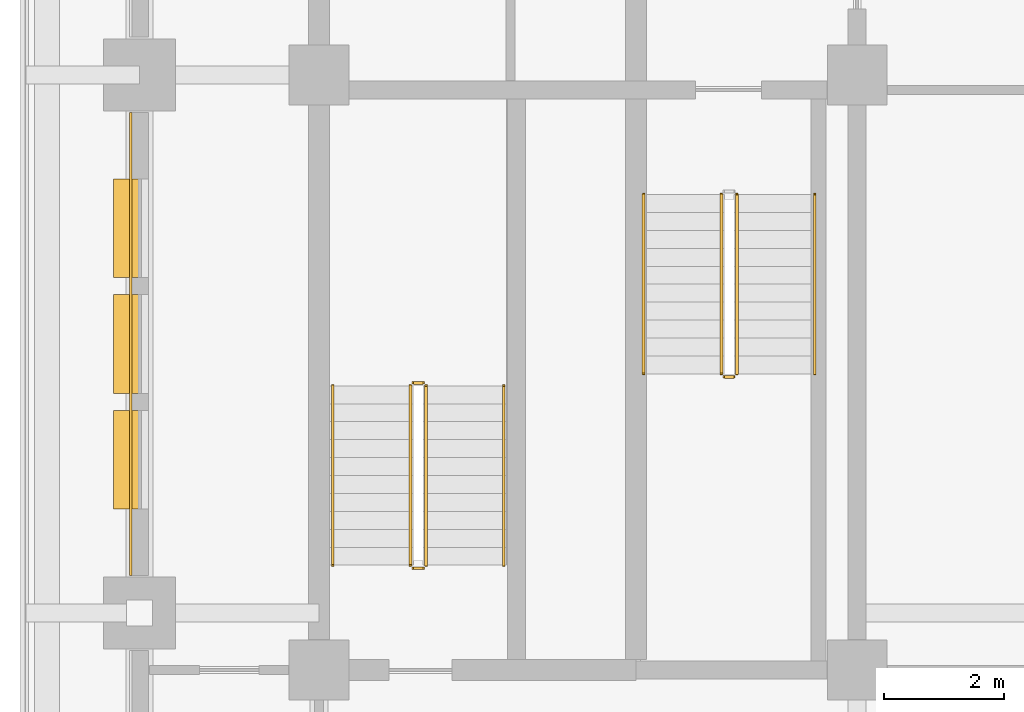
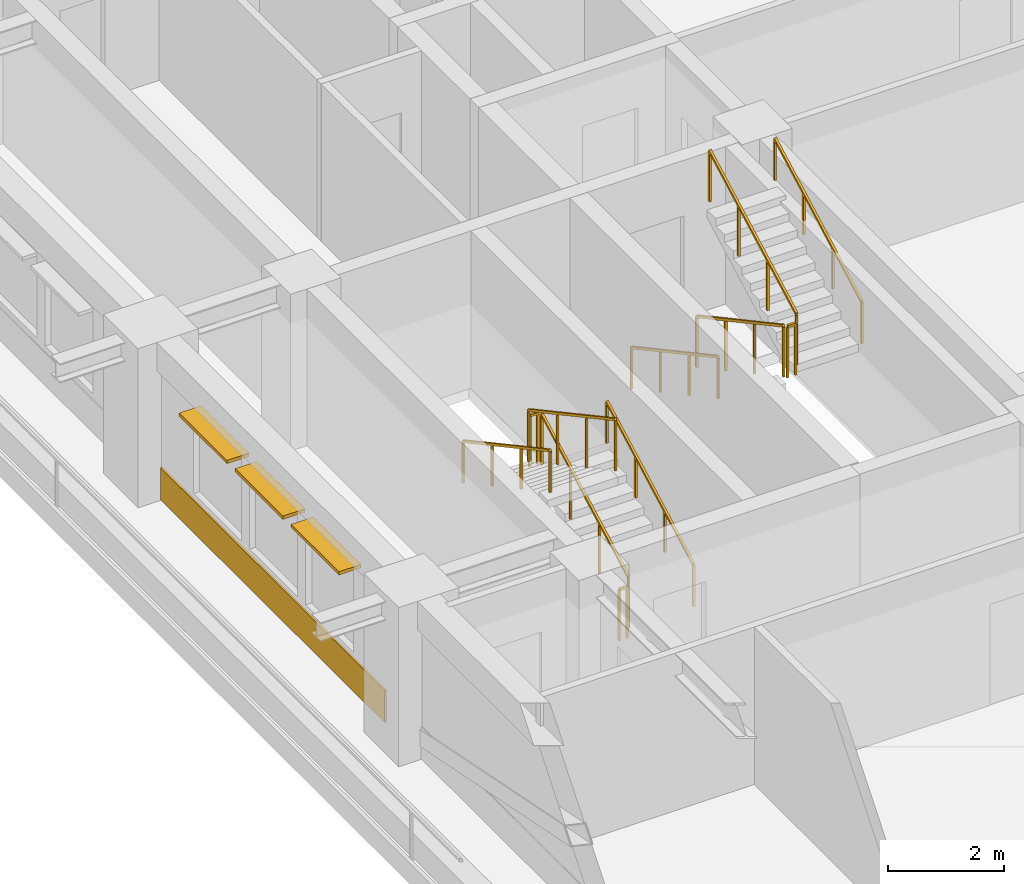
# One storey, part 9 of 14: 11 railings, 3 shading devices, 1 covering.
"""IFC4 building model written with IfcOpenShell, lengths in metres."""

from ifc_helpers import new_model, si_unit, direction, frame, frame_2d, origin, origin_2d, place, context, subcontext, project, spatial, rectangle, extrude, material, layer, layer_set, type_object, element, save


model = new_model("IFC4")

# Units and contexts
model_context = context("Model", 3, precision=1e-05, world=origin(), true_north=direction((0.0, 1.0)))
body_context = subcontext(model_context, "Body", "Model", "MODEL_VIEW")
ifc_project = project(units=[si_unit("LENGTHUNIT", "METRE"), si_unit("AREAUNIT", "SQUARE_METRE"), si_unit("VOLUMEUNIT", "CUBIC_METRE"), si_unit("PLANEANGLEUNIT", "RADIAN"), si_unit("MASSUNIT", "GRAM", prefix="KILO")], contexts=[model_context])

# Site, building, storey
site_placement = place(None, origin())
site = spatial("IfcSite", under=ifc_project, at=site_placement, CompositionType="ELEMENT")
building_placement = place(site_placement, origin())
building = spatial("IfcBuilding", under=site, at=building_placement, Name="Zulmaris Gate Convention Tower", CompositionType="ELEMENT")
storey_placement = place(building_placement, frame((0.0, 0.0, 102.06982421875)))
storey = spatial("IfcBuildingStorey", under=building, at=storey_placement, Name="L25", CompositionType="ELEMENT", Elevation=102.06982421875)

# Covering
ifc_material_1 = material(Name="Precast concrete C40/50", Category="concrete")
ifc_layer_1 = layer(ifc_material_1, 0.0400390625, Name="Precast concrete C40/50")
ifc_layer_set_1 = layer_set([ifc_layer_1], Name="Precast concrete C40/50")
covering_type = type_object("IfcCoveringType", Name="CLAD-SPANDREL-PRECAST", PredefinedType="CLADDING", material=ifc_layer_set_1)
covering_placement = place(storey_placement, frame((-23.14990234375, -0.6298828125, 0.0), z_axis=(0.0, 0.0, 1.0), x_axis=(0.0, -1.0, 0.0)))
element("IfcCovering", 1, at=covering_placement, inside=storey, type_object=covering_type, Name="CLD-L25-W-1_0", PredefinedType="CLADDING", context=body_context, shape_type="SweptSolid", body=[
    extrude(rectangle(XDim=7.740234375, YDim=0.0400390625, at=frame_2d((3.8701171875, 0.0))), origin(), (0.0, 0.0, 1.0), 0.679931640625),
])

# Railings
ifc_material_2 = material(Name="Painted Galvanised Steel", Category="steel")
railing_type_1 = type_object("IfcRailingType", Name="RL-STG-1150", PredefinedType="GUARDRAIL", material=ifc_material_2)
railing_1_placement = place(storey_placement, frame((-13.27001953125, -2.0, 0.162353515625)))
element("IfcRailing", 2, at=railing_1_placement, inside=storey, type_object=railing_type_1, Name="L25 ST-1 stair guard 1", PredefinedType="GUARDRAIL", context=body_context, shape_type="SweptSolid", body=[
    extrude(rectangle(XDim=0.048095703125, YDim=0.048095703125, at=origin_2d()), frame((0.0, 0.0, 1.076171875), z_axis=(0.0, -0.879591569277, 0.475729619907), x_axis=(1.0, 0.0, 0.0)), (0.0, 0.0, 1.0), 3.41064453125),
    extrude(rectangle(XDim=0.0419921875, YDim=0.0419921875, at=origin_2d()), origin(), (0.0, 0.0, 1.0), 1.052001953125),
    extrude(rectangle(XDim=0.0419921875, YDim=0.0419921875, at=origin_2d()), frame((0.0, -1.0, 0.540771484375)), (0.0, 0.0, 1.0), 1.052001953125),
    extrude(rectangle(XDim=0.0419921875, YDim=0.0419921875, at=origin_2d()), frame((0.0, -2.0, 1.081787109375)), (0.0, 0.0, 1.0), 1.052001953125),
    extrude(rectangle(XDim=0.0419921875, YDim=0.0419921875, at=origin_2d()), frame((0.0, -3.0, 1.62255859375)), (0.0, 0.0, 1.0), 1.052001953125),
])
railing_2_placement = place(storey_placement, frame((-13.219970703125, -5.050048828125, 1.784912109375)))
element("IfcRailing", 3, at=railing_2_placement, inside=storey, type_object=railing_type_1, Name="L25 ST-1 stair guard 2", PredefinedType="GUARDRAIL", context=body_context, shape_type="SweptSolid", body=[
    extrude(rectangle(XDim=0.048095703125, YDim=0.048095703125, at=origin_2d()), frame((0.0, 0.0, 1.076171875), z_axis=(1.0, 0.0, 0.0), x_axis=(0.0, 1.0, 0.0)), (0.0, 0.0, 1.0), 0.159912109375),
    extrude(rectangle(XDim=0.0419921875, YDim=0.0419921875, at=origin_2d()), origin(), (0.0, 0.0, 1.0), 1.052001953125),
    extrude(rectangle(XDim=0.0419921875, YDim=0.0419921875, at=origin_2d()), frame((0.159912109375, 0.0, 0.0)), (0.0, 0.0, 1.0), 1.052001953125),
])
railing_3_placement = place(storey_placement, frame((-13.010009765625, -5.0, 1.947265625)))
element("IfcRailing", 4, at=railing_3_placement, inside=storey, type_object=railing_type_1, Name="L25 ST-1 stair guard 3", PredefinedType="GUARDRAIL", context=body_context, shape_type="SweptSolid", body=[
    extrude(rectangle(XDim=0.048095703125, YDim=0.048095703125, at=origin_2d()), frame((0.0, 0.0, 1.076171875), z_axis=(0.0, 0.8795616155, 0.475784998228), x_axis=(-1.0, 0.0, 0.0)), (0.0, 0.0, 1.0), 3.410888671875),
    extrude(rectangle(XDim=0.0419921875, YDim=0.0419921875, at=origin_2d()), origin(), (0.0, 0.0, 1.0), 1.052001953125),
    extrude(rectangle(XDim=0.0419921875, YDim=0.0419921875, at=origin_2d()), frame((0.0, 1.0, 0.541015625)), (0.0, 0.0, 1.0), 1.052001953125),
    extrude(rectangle(XDim=0.0419921875, YDim=0.0419921875, at=origin_2d()), frame((0.0, 2.0, 1.081787109375)), (0.0, 0.0, 1.0), 1.052001953125),
    extrude(rectangle(XDim=0.0419921875, YDim=0.0419921875, at=origin_2d()), frame((0.0, 3.0, 1.622802734375)), (0.0, 0.0, 1.0), 1.052001953125),
])
railing_4_placement = place(storey_placement, frame((-18.2099609375, -8.199951171875, 0.162353515625)))
element("IfcRailing", 5, at=railing_4_placement, inside=storey, type_object=railing_type_1, Name="L25 ST-3 stair guard 1", PredefinedType="GUARDRAIL", context=body_context, shape_type="SweptSolid", body=[
    extrude(rectangle(XDim=0.048095703125, YDim=0.048095703125, at=origin_2d()), frame((0.0, 0.0, 1.076171875), z_axis=(0.0, 0.879591569277, 0.475729619907), x_axis=(-1.0, 0.0, 0.0)), (0.0, 0.0, 1.0), 3.41064453125),
    extrude(rectangle(XDim=0.0419921875, YDim=0.0419921875, at=origin_2d()), origin(), (0.0, 0.0, 1.0), 1.052001953125),
    extrude(rectangle(XDim=0.0419921875, YDim=0.0419921875, at=origin_2d()), frame((0.0, 1.0, 0.540771484375)), (0.0, 0.0, 1.0), 1.052001953125),
    extrude(rectangle(XDim=0.0419921875, YDim=0.0419921875, at=origin_2d()), frame((0.0, 2.0, 1.081787109375)), (0.0, 0.0, 1.0), 1.052001953125),
    extrude(rectangle(XDim=0.0419921875, YDim=0.0419921875, at=origin_2d()), frame((0.0, 3.0, 1.62255859375)), (0.0, 0.0, 1.0), 1.052001953125),
])
railing_5_placement = place(storey_placement, frame((-18.260009765625, -5.14990234375, 1.784912109375)))
element("IfcRailing", 6, at=railing_5_placement, inside=storey, type_object=railing_type_1, Name="L25 ST-3 stair guard 2", PredefinedType="GUARDRAIL", context=body_context, shape_type="SweptSolid", body=[
    extrude(rectangle(XDim=0.048095703125, YDim=0.048095703125, at=origin_2d()), frame((0.0, 0.0, 1.076171875), z_axis=(-1.0, 0.0, 0.0), x_axis=(0.0, -1.0, 0.0)), (0.0, 0.0, 1.0), 0.159912109375),
    extrude(rectangle(XDim=0.0419921875, YDim=0.0419921875, at=origin_2d()), origin(), (0.0, 0.0, 1.0), 1.052001953125),
    extrude(rectangle(XDim=0.0419921875, YDim=0.0419921875, at=origin_2d()), frame((-0.159912109375, 0.0, 0.0)), (0.0, 0.0, 1.0), 1.052001953125),
])
railing_6_placement = place(storey_placement, frame((-18.469970703125, -5.199951171875, 1.947265625)))
element("IfcRailing", 7, at=railing_6_placement, inside=storey, type_object=railing_type_1, Name="L25 ST-3 stair guard 3", PredefinedType="GUARDRAIL", context=body_context, shape_type="SweptSolid", body=[
    extrude(rectangle(XDim=0.048095703125, YDim=0.048095703125, at=origin_2d()), frame((0.0, 0.0, 1.076171875), z_axis=(0.0, -0.8795616155, 0.475784998228), x_axis=(1.0, 0.0, 0.0)), (0.0, 0.0, 1.0), 3.410888671875),
    extrude(rectangle(XDim=0.0419921875, YDim=0.0419921875, at=origin_2d()), origin(), (0.0, 0.0, 1.0), 1.052001953125),
    extrude(rectangle(XDim=0.0419921875, YDim=0.0419921875, at=origin_2d()), frame((0.0, -1.0, 0.541015625)), (0.0, 0.0, 1.0), 1.052001953125),
    extrude(rectangle(XDim=0.0419921875, YDim=0.0419921875, at=origin_2d()), frame((0.0, -2.0, 1.081787109375)), (0.0, 0.0, 1.0), 1.052001953125),
    extrude(rectangle(XDim=0.0419921875, YDim=0.0419921875, at=origin_2d()), frame((0.0, -3.0, 1.622802734375)), (0.0, 0.0, 1.0), 1.052001953125),
])
railing_7_placement = place(storey_placement, frame((-18.260009765625, -8.25, 0.0)))
element("IfcRailing", 8, at=railing_7_placement, inside=storey, type_object=railing_type_1, Name="L25 ST-3 stair guard 4", PredefinedType="GUARDRAIL", context=body_context, shape_type="SweptSolid", body=[
    extrude(rectangle(XDim=0.048095703125, YDim=0.048095703125, at=origin_2d()), frame((0.0, 0.0, 1.076171875), z_axis=(-1.0, 0.0, 0.0), x_axis=(0.0, -1.0, 0.0)), (0.0, 0.0, 1.0), 0.159912109375),
    extrude(rectangle(XDim=0.0419921875, YDim=0.0419921875, at=origin_2d()), origin(), (0.0, 0.0, 1.0), 1.052001953125),
    extrude(rectangle(XDim=0.0419921875, YDim=0.0419921875, at=origin_2d()), frame((-0.159912109375, 0.0, 0.0)), (0.0, 0.0, 1.0), 1.052001953125),
])
ifc_material_3 = material(Name="Brushed Stainless Steel", Category="steel")
railing_type_2 = type_object("IfcRailingType", Name="RL-STH-900", PredefinedType="HANDRAIL", material=ifc_material_3)
railing_8_placement = place(storey_placement, frame((-14.570068359375, -2.0, 0.162353515625)))
element("IfcRailing", 9, at=railing_8_placement, inside=storey, type_object=railing_type_2, Name="L25 ST-1 stair handrail 1", PredefinedType="HANDRAIL", context=body_context, shape_type="SweptSolid", body=[
    extrude(rectangle(XDim=0.048095703125, YDim=0.048095703125, at=origin_2d()), frame((0.0, 0.0, 0.8759765625), z_axis=(0.0, -0.879591569277, 0.475729619907), x_axis=(1.0, 0.0, 0.0)), (0.0, 0.0, 1.0), 3.41064453125),
    extrude(rectangle(XDim=0.0419921875, YDim=0.0419921875, at=origin_2d()), origin(), (0.0, 0.0, 1.0), 0.851806640625),
    extrude(rectangle(XDim=0.0419921875, YDim=0.0419921875, at=origin_2d()), frame((0.0, -1.0, 0.540771484375)), (0.0, 0.0, 1.0), 0.851806640625),
    extrude(rectangle(XDim=0.0419921875, YDim=0.0419921875, at=origin_2d()), frame((0.0, -2.0, 1.081787109375)), (0.0, 0.0, 1.0), 0.851806640625),
    extrude(rectangle(XDim=0.0419921875, YDim=0.0419921875, at=origin_2d()), frame((0.0, -3.0, 1.62255859375)), (0.0, 0.0, 1.0), 0.851806640625),
])
railing_9_placement = place(storey_placement, frame((-11.7099609375, -5.0, 1.947265625)))
element("IfcRailing", 10, at=railing_9_placement, inside=storey, type_object=railing_type_2, Name="L25 ST-1 stair handrail 2", PredefinedType="HANDRAIL", context=body_context, shape_type="SweptSolid", body=[
    extrude(rectangle(XDim=0.048095703125, YDim=0.048095703125, at=origin_2d()), frame((0.0, 0.0, 0.8759765625), z_axis=(0.0, 0.8795616155, 0.475784998228), x_axis=(-1.0, 0.0, 0.0)), (0.0, 0.0, 1.0), 3.410888671875),
    extrude(rectangle(XDim=0.0419921875, YDim=0.0419921875, at=origin_2d()), origin(), (0.0, 0.0, 1.0), 0.851806640625),
    extrude(rectangle(XDim=0.0419921875, YDim=0.0419921875, at=origin_2d()), frame((0.0, 1.0, 0.541015625)), (0.0, 0.0, 1.0), 0.851806640625),
    extrude(rectangle(XDim=0.0419921875, YDim=0.0419921875, at=origin_2d()), frame((0.0, 2.0, 1.081787109375)), (0.0, 0.0, 1.0), 0.851806640625),
    extrude(rectangle(XDim=0.0419921875, YDim=0.0419921875, at=origin_2d()), frame((0.0, 3.0, 1.622802734375)), (0.0, 0.0, 1.0), 0.851806640625),
])
railing_10_placement = place(storey_placement, frame((-16.909912109375, -8.199951171875, 0.162353515625)))
element("IfcRailing", 11, at=railing_10_placement, inside=storey, type_object=railing_type_2, Name="L25 ST-3 stair handrail 1", PredefinedType="HANDRAIL", context=body_context, shape_type="SweptSolid", body=[
    extrude(rectangle(XDim=0.048095703125, YDim=0.048095703125, at=origin_2d()), frame((0.0, 0.0, 0.8759765625), z_axis=(0.0, 0.879591569277, 0.475729619907), x_axis=(-1.0, 0.0, 0.0)), (0.0, 0.0, 1.0), 3.41064453125),
    extrude(rectangle(XDim=0.0419921875, YDim=0.0419921875, at=origin_2d()), origin(), (0.0, 0.0, 1.0), 0.851806640625),
    extrude(rectangle(XDim=0.0419921875, YDim=0.0419921875, at=origin_2d()), frame((0.0, 1.0, 0.540771484375)), (0.0, 0.0, 1.0), 0.851806640625),
    extrude(rectangle(XDim=0.0419921875, YDim=0.0419921875, at=origin_2d()), frame((0.0, 2.0, 1.081787109375)), (0.0, 0.0, 1.0), 0.851806640625),
    extrude(rectangle(XDim=0.0419921875, YDim=0.0419921875, at=origin_2d()), frame((0.0, 3.0, 1.62255859375)), (0.0, 0.0, 1.0), 0.851806640625),
])
railing_11_placement = place(storey_placement, frame((-19.77001953125, -5.199951171875, 1.947265625)))
element("IfcRailing", 12, at=railing_11_placement, inside=storey, type_object=railing_type_2, Name="L25 ST-3 stair handrail 2", PredefinedType="HANDRAIL", context=body_context, shape_type="SweptSolid", body=[
    extrude(rectangle(XDim=0.048095703125, YDim=0.048095703125, at=origin_2d()), frame((0.0, 0.0, 0.8759765625), z_axis=(0.0, -0.8795616155, 0.475784998228), x_axis=(1.0, 0.0, 0.0)), (0.0, 0.0, 1.0), 3.410888671875),
    extrude(rectangle(XDim=0.0419921875, YDim=0.0419921875, at=origin_2d()), origin(), (0.0, 0.0, 1.0), 0.851806640625),
    extrude(rectangle(XDim=0.0419921875, YDim=0.0419921875, at=origin_2d()), frame((0.0, -1.0, 0.541015625)), (0.0, 0.0, 1.0), 0.851806640625),
    extrude(rectangle(XDim=0.0419921875, YDim=0.0419921875, at=origin_2d()), frame((0.0, -2.0, 1.081787109375)), (0.0, 0.0, 1.0), 0.851806640625),
    extrude(rectangle(XDim=0.0419921875, YDim=0.0419921875, at=origin_2d()), frame((0.0, -3.0, 1.622802734375)), (0.0, 0.0, 1.0), 0.851806640625),
])

# Shading devices
ifc_material_4 = material(Name="Glazed Ceramic Terracotta", Category="masonry")
ifc_layer_2 = layer(ifc_material_4, 0.070068359375, Name="Glazed Ceramic Terracotta")
ifc_layer_set_2 = layer_set([ifc_layer_2], Name="Glazed Ceramic Terracotta")
shading_device_type = type_object("IfcShadingDeviceType", Name="SHD-SUNSHADE-TC", PredefinedType="AWNING", material=ifc_layer_set_2)
for number, where, z_axis, x_axis, name in (
    (13, (-23.219970703125, -1.739990234375, 2.530029296875), (0.0, 0.0, 1.0), (0.0, -1.0, 0.0), "SHD-EW-L25-W-1_0-1"),
    (14, (-23.219970703125, -3.675048828125, 2.530029296875), (0.0, 0.0, 1.0), (0.0, -1.0, 0.0), "SHD-EW-L25-W-1_0-2"),
    (15, (-23.219970703125, -5.610107421875, 2.530029296875), (0.0, 0.0, 1.0), (0.0, -1.0, 0.0), "SHD-EW-L25-W-1_0-3"),
):
    element("IfcShadingDevice", number, at=place(storey_placement, frame(where, z_axis=z_axis, x_axis=x_axis)), inside=storey, type_object=shading_device_type, Name=name, PredefinedType="AWNING", context=body_context, shape_type="SweptSolid", body=[
        extrude(rectangle(XDim=1.64990234375, YDim=0.43994140625, at=frame_2d((0.824951171875, 0.0))), origin(), (0.0, 0.0, 1.0), 0.070068359375),
    ])

save(model, "model.ifc")
